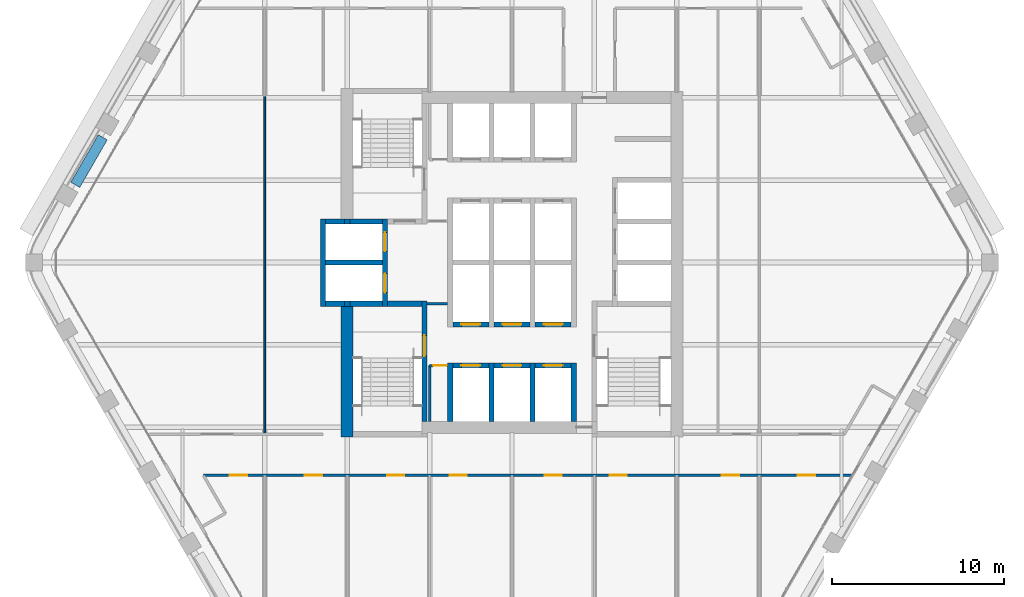
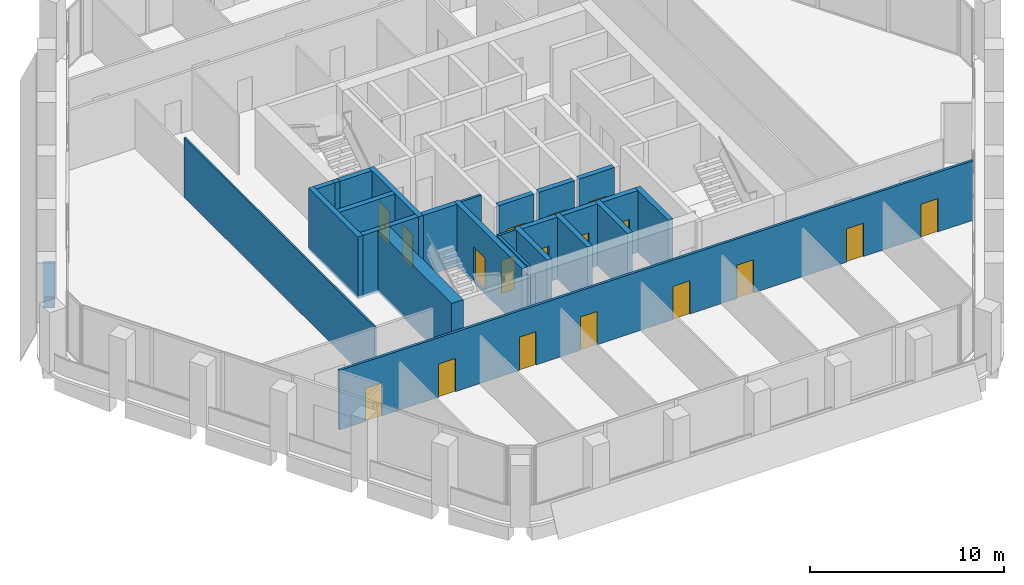
# One storey, part 9 of 15: 28 walls, 18 doors, 18 openings.
"""IFC4 building model written with IfcOpenShell, lengths in metres."""

from ifc_helpers import new_model, si_unit, direction, frame, frame_2d, origin, place, context, subcontext, project, spatial, rectangle, extrude, material, layer, layer_set, type_object, element, fill, save


model = new_model("IFC4")

# Units and contexts
model_context = context("Model", 3, precision=1e-05, world=origin(), true_north=direction((0.0, 1.0)))
body_context = subcontext(model_context, "Body", "Model", "MODEL_VIEW")
ifc_project = project(units=[si_unit("LENGTHUNIT", "METRE"), si_unit("AREAUNIT", "SQUARE_METRE"), si_unit("VOLUMEUNIT", "CUBIC_METRE"), si_unit("PLANEANGLEUNIT", "RADIAN"), si_unit("MASSUNIT", "GRAM", prefix="KILO")], contexts=[model_context])

# Site, building, storey
site_placement = place(None, origin())
site = spatial("IfcSite", under=ifc_project, at=site_placement, CompositionType="ELEMENT")
building_placement = place(site_placement, origin())
building = spatial("IfcBuilding", under=site, at=building_placement, Name="Kolab Exchange Tower", CompositionType="ELEMENT")
storey_placement = place(building_placement, frame((0.0, 0.0, 189.5)))
storey = spatial("IfcBuildingStorey", under=building, at=storey_placement, Name="L40", CompositionType="ELEMENT", Elevation=189.5)

# Wall
ifc_material_1 = material(Name="Concrete C60/75", Category="concrete")
ifc_layer_1 = layer(ifc_material_1, 0.699951171875)
ifc_layer_set_1 = layer_set([ifc_layer_1], Name="Concrete C60/75")
wall_type_1 = type_object("IfcWallType", Name="CORE WALL 700 C60/75", PredefinedType="SHEAR", material=ifc_layer_set_1)
wall_1_placement = place(storey_placement, frame((-9.60009765625, -10.14990234375, -0.14990234375), z_axis=(0.0, 0.0, 1.0), x_axis=(0.0, 1.0, 0.0)))
element("IfcWall", 1, at=wall_1_placement, inside=storey, type_object=wall_type_1, Name="wall/L40/core/034", PredefinedType="SHEAR", context=body_context, shape_type="SweptSolid", body=[
    extrude(rectangle(XDim=7.599853515625, YDim=0.699951171875, at=frame_2d((3.7998046875, 0.0))), origin(), (0.0, 0.0, 1.0), 3.89990234375),
])

# Wall, opening, door
ifc_material_2 = material(Name="Concrete C50/60", Category="concrete")
ifc_layer_2 = layer(ifc_material_2, 0.300048828125)
ifc_layer_set_2 = layer_set([ifc_layer_2], Name="Concrete C50/60")
wall_type_2 = type_object("IfcWallType", Name="LIFT SHAFT WALL 300 C50/60", PredefinedType="STANDARD", material=ifc_layer_set_2)
wall_2_placement = place(storey_placement, frame((-3.449951171875, -6.0, -0.14990234375), z_axis=(0.0, 0.0, 1.0), x_axis=(1.0, 0.0, 0.0)))
wall_2 = element("IfcWall", 2, at=wall_2_placement, inside=storey, type_object=wall_type_2, Name="wall/L40/core/003", PredefinedType="STANDARD", context=body_context, shape_type="SweptSolid", body=[
    extrude(rectangle(XDim=2.099853515625, YDim=0.300048828125, at=frame_2d((1.0498046875, 0.0))), origin(), (0.0, 0.0, 1.0), 3.89990234375),
])
opening_1_placement = place(wall_2_placement, frame((0.5, 0.0, 0.14990234375)))
opening_1 = element("IfcOpeningElement", 3, at=opening_1_placement, cuts=wall_2, Name="Opening LD1-110", PredefinedType="OPENING", context=body_context, shape_type="SweptSolid", body=[
    extrude(rectangle(XDim=1.10009765625, YDim=2.10009765625, at=frame_2d((0.550048828125, 1.050048828125))), frame((0.0, 0.16015625, 0.0), z_axis=(0.0, -1.0, 0.0), x_axis=(1.0, 0.0, 0.0)), (0.0, 0.0, 1.0), 0.320068359375),
])
ifc_material_3 = material(Name="Stainless steel 316", Category="steel")
door_type_1 = type_object("IfcDoorType", Name="LANDING DOOR 1100 PASSENGER", OperationType="DOUBLE_DOOR_SLIDING", PredefinedType="DOOR", material=ifc_material_3)
door_1_placement = place(opening_1_placement, origin())
door_1 = element("IfcDoor", 4, at=door_1_placement, inside=storey, type_object=door_type_1, Name="Landing door HR10", OperationType="DOUBLE_DOOR_SLIDING", OverallHeight=2.10009765625, OverallWidth=1.10009765625, PredefinedType="DOOR", context=body_context, shape_type="SweptSolid", body=[
    extrude(rectangle(XDim=1.10009765625, YDim=2.10009765625, at=frame_2d((0.550048828125, 1.050048828125))), frame((0.0, 0.02490234375, 0.0), z_axis=(0.0, -1.0, 0.0), x_axis=(1.0, 0.0, 0.0)), (0.0, 0.0, 1.0), 0.050048828125),
])
fill(opening_1, door_1)

wall_3_placement = place(storey_placement, frame((-1.050048828125, -6.0, -0.14990234375), z_axis=(0.0, 0.0, 1.0), x_axis=(1.0, 0.0, 0.0)))
wall_3 = element("IfcWall", 5, at=wall_3_placement, inside=storey, type_object=wall_type_2, Name="wall/L40/core/004", PredefinedType="STANDARD", context=body_context, shape_type="SweptSolid", body=[
    extrude(rectangle(XDim=2.10009765625, YDim=0.300048828125, at=frame_2d((1.050048828125, 0.0))), origin(), (0.0, 0.0, 1.0), 3.89990234375),
])
opening_2_placement = place(wall_3_placement, frame((0.5, 0.0, 0.14990234375)))
opening_2 = element("IfcOpeningElement", 6, at=opening_2_placement, cuts=wall_3, Name="Opening LD1-111", PredefinedType="OPENING", context=body_context, shape_type="SweptSolid", body=[
    extrude(rectangle(XDim=1.10009765625, YDim=2.10009765625, at=frame_2d((0.550048828125, 1.050048828125))), frame((0.0, 0.16015625, 0.0), z_axis=(0.0, -1.0, 0.0), x_axis=(1.0, 0.0, 0.0)), (0.0, 0.0, 1.0), 0.320068359375),
])
door_2_placement = place(opening_2_placement, origin())
door_2 = element("IfcDoor", 7, at=door_2_placement, inside=storey, type_object=door_type_1, Name="Landing door HR11", OperationType="DOUBLE_DOOR_SLIDING", OverallHeight=2.10009765625, OverallWidth=1.10009765625, PredefinedType="DOOR", context=body_context, shape_type="SweptSolid", body=[
    extrude(rectangle(XDim=1.10009765625, YDim=2.10009765625, at=frame_2d((0.550048828125, 1.050048828125))), frame((0.0, 0.02490234375, 0.0), z_axis=(0.0, -1.0, 0.0), x_axis=(1.0, 0.0, 0.0)), (0.0, 0.0, 1.0), 0.050048828125),
])
fill(opening_2, door_2)

wall_4_placement = place(storey_placement, frame((1.35009765625, -6.0, -0.14990234375), z_axis=(0.0, 0.0, 1.0), x_axis=(1.0, 0.0, 0.0)))
wall_4 = element("IfcWall", 8, at=wall_4_placement, inside=storey, type_object=wall_type_2, Name="wall/L40/core/005", PredefinedType="STANDARD", context=body_context, shape_type="SweptSolid", body=[
    extrude(rectangle(XDim=2.099853515625, YDim=0.300048828125, at=frame_2d((1.0498046875, 0.0))), origin(), (0.0, 0.0, 1.0), 3.89990234375),
])
opening_3_placement = place(wall_4_placement, frame((0.5, 0.0, 0.14990234375)))
opening_3 = element("IfcOpeningElement", 9, at=opening_3_placement, cuts=wall_4, Name="Opening LD1-112", PredefinedType="OPENING", context=body_context, shape_type="SweptSolid", body=[
    extrude(rectangle(XDim=1.10009765625, YDim=2.10009765625, at=frame_2d((0.550048828125, 1.050048828125))), frame((0.0, 0.16015625, 0.0), z_axis=(0.0, -1.0, 0.0), x_axis=(1.0, 0.0, 0.0)), (0.0, 0.0, 1.0), 0.320068359375),
])
door_3_placement = place(opening_3_placement, origin())
door_3 = element("IfcDoor", 10, at=door_3_placement, inside=storey, type_object=door_type_1, Name="Landing door HR12", OperationType="DOUBLE_DOOR_SLIDING", OverallHeight=2.10009765625, OverallWidth=1.10009765625, PredefinedType="DOOR", context=body_context, shape_type="SweptSolid", body=[
    extrude(rectangle(XDim=1.10009765625, YDim=2.10009765625, at=frame_2d((0.550048828125, 1.050048828125))), frame((0.0, 0.02490234375, 0.0), z_axis=(0.0, -1.0, 0.0), x_axis=(1.0, 0.0, 0.0)), (0.0, 0.0, 1.0), 0.050048828125),
])
fill(opening_3, door_3)

wall_5_placement = place(storey_placement, frame((-3.449951171875, -3.60009765625, -0.14990234375), z_axis=(0.0, 0.0, 1.0), x_axis=(1.0, 0.0, 0.0)))
wall_5 = element("IfcWall", 11, at=wall_5_placement, inside=storey, type_object=wall_type_2, Name="wall/L40/core/006", PredefinedType="STANDARD", context=body_context, shape_type="SweptSolid", body=[
    extrude(rectangle(XDim=2.099853515625, YDim=0.300048828125, at=frame_2d((1.0498046875, 0.0))), origin(), (0.0, 0.0, 1.0), 3.89990234375),
])
opening_4_placement = place(wall_5_placement, frame((0.5, 0.0, 0.14990234375)))
opening_4 = element("IfcOpeningElement", 12, at=opening_4_placement, cuts=wall_5, Name="Opening LD1-118", PredefinedType="OPENING", context=body_context, shape_type="SweptSolid", body=[
    extrude(rectangle(XDim=1.10009765625, YDim=2.10009765625, at=frame_2d((0.550048828125, 1.050048828125))), frame((0.0, 0.16015625, 0.0), z_axis=(0.0, -1.0, 0.0), x_axis=(1.0, 0.0, 0.0)), (0.0, 0.0, 1.0), 0.320068359375),
])
door_4_placement = place(opening_4_placement, origin())
door_4 = element("IfcDoor", 13, at=door_4_placement, inside=storey, type_object=door_type_1, Name="Landing door HR7", OperationType="DOUBLE_DOOR_SLIDING", OverallHeight=2.10009765625, OverallWidth=1.10009765625, PredefinedType="DOOR", context=body_context, shape_type="SweptSolid", body=[
    extrude(rectangle(XDim=1.10009765625, YDim=2.10009765625, at=frame_2d((0.550048828125, 1.050048828125))), frame((0.0, 0.02490234375, 0.0), z_axis=(0.0, -1.0, 0.0), x_axis=(1.0, 0.0, 0.0)), (0.0, 0.0, 1.0), 0.050048828125),
])
fill(opening_4, door_4)

wall_6_placement = place(storey_placement, frame((-1.050048828125, -3.60009765625, -0.14990234375), z_axis=(0.0, 0.0, 1.0), x_axis=(1.0, 0.0, 0.0)))
wall_6 = element("IfcWall", 14, at=wall_6_placement, inside=storey, type_object=wall_type_2, Name="wall/L40/core/007", PredefinedType="STANDARD", context=body_context, shape_type="SweptSolid", body=[
    extrude(rectangle(XDim=2.10009765625, YDim=0.300048828125, at=frame_2d((1.050048828125, 0.0))), origin(), (0.0, 0.0, 1.0), 3.89990234375),
])
opening_5_placement = place(wall_6_placement, frame((0.5, 0.0, 0.14990234375)))
opening_5 = element("IfcOpeningElement", 15, at=opening_5_placement, cuts=wall_6, Name="Opening LD1-119", PredefinedType="OPENING", context=body_context, shape_type="SweptSolid", body=[
    extrude(rectangle(XDim=1.10009765625, YDim=2.10009765625, at=frame_2d((0.550048828125, 1.050048828125))), frame((0.0, 0.16015625, 0.0), z_axis=(0.0, -1.0, 0.0), x_axis=(1.0, 0.0, 0.0)), (0.0, 0.0, 1.0), 0.320068359375),
])
door_5_placement = place(opening_5_placement, origin())
door_5 = element("IfcDoor", 16, at=door_5_placement, inside=storey, type_object=door_type_1, Name="Landing door HR8", OperationType="DOUBLE_DOOR_SLIDING", OverallHeight=2.10009765625, OverallWidth=1.10009765625, PredefinedType="DOOR", context=body_context, shape_type="SweptSolid", body=[
    extrude(rectangle(XDim=1.10009765625, YDim=2.10009765625, at=frame_2d((0.550048828125, 1.050048828125))), frame((0.0, 0.02490234375, 0.0), z_axis=(0.0, -1.0, 0.0), x_axis=(1.0, 0.0, 0.0)), (0.0, 0.0, 1.0), 0.050048828125),
])
fill(opening_5, door_5)

wall_7_placement = place(storey_placement, frame((1.35009765625, -3.60009765625, -0.14990234375), z_axis=(0.0, 0.0, 1.0), x_axis=(1.0, 0.0, 0.0)))
wall_7 = element("IfcWall", 17, at=wall_7_placement, inside=storey, type_object=wall_type_2, Name="wall/L40/core/008", PredefinedType="STANDARD", context=body_context, shape_type="SweptSolid", body=[
    extrude(rectangle(XDim=2.099853515625, YDim=0.300048828125, at=frame_2d((1.0498046875, 0.0))), origin(), (0.0, 0.0, 1.0), 3.89990234375),
])
opening_6_placement = place(wall_7_placement, frame((0.5, 0.0, 0.14990234375)))
opening_6 = element("IfcOpeningElement", 18, at=opening_6_placement, cuts=wall_7, Name="Opening LD1-120", PredefinedType="OPENING", context=body_context, shape_type="SweptSolid", body=[
    extrude(rectangle(XDim=1.10009765625, YDim=2.10009765625, at=frame_2d((0.550048828125, 1.050048828125))), frame((0.0, 0.16015625, 0.0), z_axis=(0.0, -1.0, 0.0), x_axis=(1.0, 0.0, 0.0)), (0.0, 0.0, 1.0), 0.320068359375),
])
door_6_placement = place(opening_6_placement, origin())
door_6 = element("IfcDoor", 19, at=door_6_placement, inside=storey, type_object=door_type_1, Name="Landing door HR9", OperationType="DOUBLE_DOOR_SLIDING", OverallHeight=2.10009765625, OverallWidth=1.10009765625, PredefinedType="DOOR", context=body_context, shape_type="SweptSolid", body=[
    extrude(rectangle(XDim=1.10009765625, YDim=2.10009765625, at=frame_2d((0.550048828125, 1.050048828125))), frame((0.0, 0.02490234375, 0.0), z_axis=(0.0, -1.0, 0.0), x_axis=(1.0, 0.0, 0.0)), (0.0, 0.0, 1.0), 0.050048828125),
])
fill(opening_6, door_6)

# Walls
wall_8_placement = place(storey_placement, frame((-10.85009765625, -2.39990234375, -0.14990234375), z_axis=(0.0, 0.0, 1.0), x_axis=(1.0, 0.0, 0.0)))
element("IfcWall", 20, at=wall_8_placement, inside=storey, type_object=wall_type_2, Name="wall/L40/core/009", PredefinedType="STANDARD", context=body_context, shape_type="SweptSolid", body=[
    extrude(rectangle(XDim=1.10009765625, YDim=0.300048828125, at=frame_2d((0.550048828125, 0.0))), origin(), (0.0, 0.0, 1.0), 3.89990234375),
])
wall_9_placement = place(storey_placement, frame((-10.85009765625, 0.0, -0.14990234375), z_axis=(0.0, 0.0, 1.0), x_axis=(1.0, 0.0, 0.0)))
element("IfcWall", 21, at=wall_9_placement, inside=storey, type_object=wall_type_2, Name="wall/L40/core/014", PredefinedType="STANDARD", context=body_context, shape_type="SweptSolid", body=[
    extrude(rectangle(XDim=3.300048828125, YDim=0.300048828125, at=frame_2d((1.64990234375, 0.0))), origin(), (0.0, 0.0, 1.0), 3.89990234375),
])
wall_10_placement = place(storey_placement, frame((-10.85009765625, 2.39990234375, -0.14990234375), z_axis=(0.0, 0.0, 1.0), x_axis=(1.0, 0.0, 0.0)))
element("IfcWall", 22, at=wall_10_placement, inside=storey, type_object=wall_type_2, Name="wall/L40/core/019", PredefinedType="STANDARD", context=body_context, shape_type="SweptSolid", body=[
    extrude(rectangle(XDim=1.10009765625, YDim=0.300048828125, at=frame_2d((0.550048828125, 0.0))), origin(), (0.0, 0.0, 1.0), 3.89990234375),
])
wall_11_placement = place(storey_placement, frame((-11.0, -2.550048828125, -0.14990234375), z_axis=(0.0, 0.0, 1.0), x_axis=(0.0, 1.0, 0.0)))
element("IfcWall", 23, at=wall_11_placement, inside=storey, type_object=wall_type_2, Name="wall/L40/core/033", PredefinedType="STANDARD", context=body_context, shape_type="SweptSolid", body=[
    extrude(rectangle(XDim=5.10009765625, YDim=0.300048828125, at=frame_2d((2.550048828125, 0.0))), origin(), (0.0, 0.0, 1.0), 3.89990234375),
])

# Wall, openings, doors
wall_12_placement = place(storey_placement, frame((-7.39990234375, -2.550048828125, -0.14990234375), z_axis=(0.0, 0.0, 1.0), x_axis=(0.0, 1.0, 0.0)))
wall_12 = element("IfcWall", 24, at=wall_12_placement, inside=storey, type_object=wall_type_2, Name="wall/L40/core/038", PredefinedType="STANDARD", context=body_context, shape_type="SweptSolid", body=[
    extrude(rectangle(XDim=5.10009765625, YDim=0.300048828125, at=frame_2d((2.550048828125, 0.0))), origin(), (0.0, 0.0, 1.0), 3.89990234375),
])
opening_7_placement = place(wall_12_placement, frame((0.800048828125, 0.0, 0.14990234375)))
opening_7 = element("IfcOpeningElement", 25, at=opening_7_placement, cuts=wall_12, Name="Opening LD2-025", PredefinedType="OPENING", context=body_context, shape_type="SweptSolid", body=[
    extrude(rectangle(XDim=1.10009765625, YDim=2.10009765625, at=frame_2d((0.550048828125, 1.050048828125))), frame((0.0, 0.16015625, 0.0), z_axis=(0.0, -1.0, 0.0), x_axis=(1.0, 0.0, 0.0)), (0.0, 0.0, 1.0), 0.320068359375),
])
opening_8_placement = place(wall_12_placement, frame((3.199951171875, 0.0, 0.14990234375)))
opening_8 = element("IfcOpeningElement", 26, at=opening_8_placement, cuts=wall_12, Name="Opening LD2-026", PredefinedType="OPENING", context=body_context, shape_type="SweptSolid", body=[
    extrude(rectangle(XDim=1.10009765625, YDim=2.10009765625, at=frame_2d((0.550048828125, 1.050048828125))), frame((0.0, 0.16015625, 0.0), z_axis=(0.0, -1.0, 0.0), x_axis=(1.0, 0.0, 0.0)), (0.0, 0.0, 1.0), 0.320068359375),
])
door_type_2 = type_object("IfcDoorType", Name="LANDING DOOR 1100 FIREFIGHTING", OperationType="DOUBLE_DOOR_SLIDING", PredefinedType="DOOR", material=ifc_material_3)
door_7_placement = place(opening_7_placement, origin())
door_7 = element("IfcDoor", 27, at=door_7_placement, inside=storey, type_object=door_type_2, Name="Landing door FF1", OperationType="DOUBLE_DOOR_SLIDING", OverallHeight=2.10009765625, OverallWidth=1.10009765625, PredefinedType="DOOR", context=body_context, shape_type="SweptSolid", body=[
    extrude(rectangle(XDim=1.10009765625, YDim=2.10009765625, at=frame_2d((0.550048828125, 1.050048828125))), frame((0.0, 0.02490234375, 0.0), z_axis=(0.0, -1.0, 0.0), x_axis=(1.0, 0.0, 0.0)), (0.0, 0.0, 1.0), 0.050048828125),
])
fill(opening_7, door_7)
door_8_placement = place(opening_8_placement, origin())
door_8 = element("IfcDoor", 28, at=door_8_placement, inside=storey, type_object=door_type_2, Name="Landing door FF2", OperationType="DOUBLE_DOOR_SLIDING", OverallHeight=2.10009765625, OverallWidth=1.10009765625, PredefinedType="DOOR", context=body_context, shape_type="SweptSolid", body=[
    extrude(rectangle(XDim=1.10009765625, YDim=2.10009765625, at=frame_2d((0.550048828125, 1.050048828125))), frame((0.0, 0.02490234375, 0.0), z_axis=(0.0, -1.0, 0.0), x_axis=(1.0, 0.0, 0.0)), (0.0, 0.0, 1.0), 0.050048828125),
])
fill(opening_8, door_8)

# Walls
for number, where, z_axis, x_axis, name in (
    (29, (-3.60009765625, -9.25, -0.14990234375), (0.0, 0.0, 1.0), (0.0, 1.0, 0.0), "wall/L40/core/043"),
    (30, (-1.199951171875, -9.25, -0.14990234375), (0.0, 0.0, 1.0), (0.0, 1.0, 0.0), "wall/L40/core/046"),
    (31, (1.199951171875, -9.25, -0.14990234375), (0.0, 0.0, 1.0), (0.0, 1.0, 0.0), "wall/L40/core/049"),
    (32, (3.60009765625, -9.25, -0.14990234375), (0.0, 0.0, 1.0), (0.0, 1.0, 0.0), "wall/L40/core/052"),
):
    element("IfcWall", number, at=place(storey_placement, frame(where, z_axis=z_axis, x_axis=x_axis)), inside=storey, type_object=wall_type_2, Name=name, PredefinedType="STANDARD", context=body_context, shape_type="SweptSolid", body=[
        extrude(rectangle(XDim=3.39990234375, YDim=0.300048828125, at=frame_2d((1.699951171875, 0.0))), origin(), (0.0, 0.0, 1.0), 3.89990234375),
    ])
ifc_material_4 = material(Name="Gypsum board", Category="gypsum")
ifc_layer_3 = layer(ifc_material_4, 0.10009765625)
ifc_layer_set_3 = layer_set([ifc_layer_3], Name="Gypsum board")
wall_type_3 = type_object("IfcWallType", Name="PARTITION 100", PredefinedType="PARTITIONING", material=ifc_layer_set_3)
wall_13_placement = place(storey_placement, frame((-14.39990234375, -10.0, 0.0), z_axis=(0.0, 0.0, 1.0), x_axis=(0.0, 1.0, 0.0)))
element("IfcWall", 33, at=wall_13_placement, inside=storey, type_object=wall_type_3, Name="Partition 022", PredefinedType="PARTITIONING", context=body_context, shape_type="SweptSolid", body=[
    extrude(rectangle(XDim=19.693603515625, YDim=0.10009765625, at=frame_2d((9.8466796875, 0.0))), origin(), (0.0, 0.0, 1.0), 3.75),
])
ifc_layer_4 = layer(ifc_material_4, 0.14990234375)
ifc_layer_set_4 = layer_set([ifc_layer_4], Name="Gypsum board")
wall_type_4 = type_object("IfcWallType", Name="PARTITION 150 FIRE-RATED", PredefinedType="PARTITIONING", material=ifc_layer_set_4)
wall_14_placement = place(storey_placement, frame((-4.800048828125, -9.25, 0.0), z_axis=(0.0, 0.0, 1.0), x_axis=(0.0, 1.0, 0.0)))
element("IfcWall", 34, at=wall_14_placement, inside=storey, type_object=wall_type_4, Name="Partition 015", PredefinedType="PARTITIONING", context=body_context, shape_type="SweptSolid", body=[
    extrude(rectangle(XDim=3.25, YDim=0.14990234375, at=frame_2d((1.625, 0.0))), origin(), (0.0, 0.0, 1.0), 3.75),
])

# Wall, openings, doors
wall_15_placement = place(storey_placement, frame((-17.968994140625, -12.39990234375, 0.0), z_axis=(0.0, 0.0, 1.0), x_axis=(1.0, 0.0, 0.0)))
wall_15 = element("IfcWall", 35, at=wall_15_placement, inside=storey, type_object=wall_type_4, Name="Partition 029", PredefinedType="PARTITIONING", context=body_context, shape_type="SweptSolid", body=[
    extrude(rectangle(XDim=37.7392578125, YDim=0.14990234375, at=frame_2d((18.86962890625, 0.0))), origin(), (0.0, 0.0, 1.0), 3.75),
])
opening_9_placement = place(wall_15_placement, frame((1.534912109375, 0.0, 0.0)))
opening_9 = element("IfcOpeningElement", 36, at=opening_9_placement, cuts=wall_15, Name="Opening D1-526", PredefinedType="OPENING", context=body_context, shape_type="SweptSolid", body=[
    extrude(rectangle(XDim=1.0, YDim=2.10009765625, at=frame_2d((0.5, 1.050048828125))), frame((0.0, 0.0849609375, 0.0), z_axis=(0.0, -1.0, 0.0), x_axis=(1.0, 0.0, 0.0)), (0.0, 0.0, 1.0), 0.169921875),
])
opening_10_placement = place(wall_15_placement, frame((5.90380859375, 0.0, 0.0)))
opening_10 = element("IfcOpeningElement", 37, at=opening_10_placement, cuts=wall_15, Name="Opening D1-527", PredefinedType="OPENING", context=body_context, shape_type="SweptSolid", body=[
    extrude(rectangle(XDim=1.0, YDim=2.10009765625, at=frame_2d((0.5, 1.050048828125))), frame((0.0, 0.0849609375, 0.0), z_axis=(0.0, -1.0, 0.0), x_axis=(1.0, 0.0, 0.0)), (0.0, 0.0, 1.0), 0.169921875),
])
opening_11_placement = place(wall_15_placement, frame((10.703857421875, 0.0, 0.0)))
opening_11 = element("IfcOpeningElement", 38, at=opening_11_placement, cuts=wall_15, Name="Opening D1-528", PredefinedType="OPENING", context=body_context, shape_type="SweptSolid", body=[
    extrude(rectangle(XDim=1.0, YDim=2.10009765625, at=frame_2d((0.5, 1.050048828125))), frame((0.0, 0.0849609375, 0.0), z_axis=(0.0, -1.0, 0.0), x_axis=(1.0, 0.0, 0.0)), (0.0, 0.0, 1.0), 0.169921875),
])
opening_12_placement = place(wall_15_placement, frame((14.343994140625, 0.0, 0.0)))
opening_12 = element("IfcOpeningElement", 39, at=opening_12_placement, cuts=wall_15, Name="Opening D1-529", PredefinedType="OPENING", context=body_context, shape_type="SweptSolid", body=[
    extrude(rectangle(XDim=1.0, YDim=2.10009765625, at=frame_2d((0.5, 1.050048828125))), frame((0.0, 0.0849609375, 0.0), z_axis=(0.0, -1.0, 0.0), x_axis=(1.0, 0.0, 0.0)), (0.0, 0.0, 1.0), 0.169921875),
])
opening_13_placement = place(wall_15_placement, frame((19.868896484375, 0.0, 0.0)))
opening_13 = element("IfcOpeningElement", 40, at=opening_13_placement, cuts=wall_15, Name="Opening D1-530", PredefinedType="OPENING", context=body_context, shape_type="SweptSolid", body=[
    extrude(rectangle(XDim=1.0, YDim=2.10009765625, at=frame_2d((0.5, 1.050048828125))), frame((0.0, 0.0849609375, 0.0), z_axis=(0.0, -1.0, 0.0), x_axis=(1.0, 0.0, 0.0)), (0.0, 0.0, 1.0), 0.169921875),
])
opening_14_placement = place(wall_15_placement, frame((23.65380859375, 0.0, 0.0)))
opening_14 = element("IfcOpeningElement", 41, at=opening_14_placement, cuts=wall_15, Name="Opening D1-531", PredefinedType="OPENING", context=body_context, shape_type="SweptSolid", body=[
    extrude(rectangle(XDim=1.0, YDim=2.10009765625, at=frame_2d((0.5, 1.050048828125))), frame((0.0, 0.0849609375, 0.0), z_axis=(0.0, -1.0, 0.0), x_axis=(1.0, 0.0, 0.0)), (0.0, 0.0, 1.0), 0.169921875),
])
opening_15_placement = place(wall_15_placement, frame((30.19384765625, 0.0, 0.0)))
opening_15 = element("IfcOpeningElement", 42, at=opening_15_placement, cuts=wall_15, Name="Opening D1-532", PredefinedType="OPENING", context=body_context, shape_type="SweptSolid", body=[
    extrude(rectangle(XDim=1.0, YDim=2.10009765625, at=frame_2d((0.5, 1.050048828125))), frame((0.0, 0.0849609375, 0.0), z_axis=(0.0, -1.0, 0.0), x_axis=(1.0, 0.0, 0.0)), (0.0, 0.0, 1.0), 0.169921875),
])
opening_16_placement = place(wall_15_placement, frame((34.623291015625, 0.0, 0.0)))
opening_16 = element("IfcOpeningElement", 43, at=opening_16_placement, cuts=wall_15, Name="Opening D1-533", PredefinedType="OPENING", context=body_context, shape_type="SweptSolid", body=[
    extrude(rectangle(XDim=1.0, YDim=2.10009765625, at=frame_2d((0.5, 1.050048828125))), frame((0.0, 0.0849609375, 0.0), z_axis=(0.0, -1.0, 0.0), x_axis=(1.0, 0.0, 0.0)), (0.0, 0.0, 1.0), 0.169921875),
])
ifc_material_5 = material(Name="Steel S235", Category="steel")
door_type_3 = type_object("IfcDoorType", Name="FLUSH DOOR 1000 FD60", OperationType="SINGLE_SWING_LEFT", PredefinedType="DOOR", material=ifc_material_5)
door_9_placement = place(opening_9_placement, frame((1.0, 0.0, 0.0), z_axis=(0.0, 0.0, 1.0), x_axis=(-1.0, 0.0, 0.0)))
door_9 = element("IfcDoor", 44, at=door_9_placement, inside=storey, type_object=door_type_3, Name="Door L40-040", OperationType="SINGLE_SWING_RIGHT", OverallHeight=2.10009765625, OverallWidth=1.0, PredefinedType="DOOR", context=body_context, shape_type="SweptSolid", body=[
    extrude(rectangle(XDim=1.0, YDim=2.10009765625, at=frame_2d((0.5, 1.050048828125))), frame((0.0, 0.02490234375, 0.0), z_axis=(0.0, -1.0, 0.0), x_axis=(1.0, 0.0, 0.0)), (0.0, 0.0, 1.0), 0.050048828125),
])
fill(opening_9, door_9)
door_10_placement = place(opening_10_placement, frame((1.0, 0.0, 0.0), z_axis=(0.0, 0.0, 1.0), x_axis=(-1.0, 0.0, 0.0)))
door_10 = element("IfcDoor", 45, at=door_10_placement, inside=storey, type_object=door_type_3, Name="Door L40-041", OperationType="SINGLE_SWING_RIGHT", OverallHeight=2.10009765625, OverallWidth=1.0, PredefinedType="DOOR", context=body_context, shape_type="SweptSolid", body=[
    extrude(rectangle(XDim=1.0, YDim=2.10009765625, at=frame_2d((0.5, 1.050048828125))), frame((0.0, 0.02490234375, 0.0), z_axis=(0.0, -1.0, 0.0), x_axis=(1.0, 0.0, 0.0)), (0.0, 0.0, 1.0), 0.050048828125),
])
fill(opening_10, door_10)
door_11_placement = place(opening_11_placement, frame((1.0, 0.0, 0.0), z_axis=(0.0, 0.0, 1.0), x_axis=(-1.0, 0.0, 0.0)))
door_11 = element("IfcDoor", 46, at=door_11_placement, inside=storey, type_object=door_type_3, Name="Door L40-042", OperationType="SINGLE_SWING_RIGHT", OverallHeight=2.10009765625, OverallWidth=1.0, PredefinedType="DOOR", context=body_context, shape_type="SweptSolid", body=[
    extrude(rectangle(XDim=1.0, YDim=2.10009765625, at=frame_2d((0.5, 1.050048828125))), frame((0.0, 0.02490234375, 0.0), z_axis=(0.0, -1.0, 0.0), x_axis=(1.0, 0.0, 0.0)), (0.0, 0.0, 1.0), 0.050048828125),
])
fill(opening_11, door_11)
door_12_placement = place(opening_12_placement, frame((1.0, 0.0, 0.0), z_axis=(0.0, 0.0, 1.0), x_axis=(-1.0, 0.0, 0.0)))
door_12 = element("IfcDoor", 47, at=door_12_placement, inside=storey, type_object=door_type_3, Name="Door L40-043", OperationType="SINGLE_SWING_LEFT", OverallHeight=2.10009765625, OverallWidth=1.0, PredefinedType="DOOR", context=body_context, shape_type="SweptSolid", body=[
    extrude(rectangle(XDim=1.0, YDim=2.10009765625, at=frame_2d((0.5, 1.050048828125))), frame((0.0, 0.02490234375, 0.0), z_axis=(0.0, -1.0, 0.0), x_axis=(1.0, 0.0, 0.0)), (0.0, 0.0, 1.0), 0.050048828125),
])
fill(opening_12, door_12)
door_13_placement = place(opening_13_placement, frame((1.0, 0.0, 0.0), z_axis=(0.0, 0.0, 1.0), x_axis=(-1.0, 0.0, 0.0)))
door_13 = element("IfcDoor", 48, at=door_13_placement, inside=storey, type_object=door_type_3, Name="Door L40-044", OperationType="SINGLE_SWING_LEFT", OverallHeight=2.10009765625, OverallWidth=1.0, PredefinedType="DOOR", context=body_context, shape_type="SweptSolid", body=[
    extrude(rectangle(XDim=1.0, YDim=2.10009765625, at=frame_2d((0.5, 1.050048828125))), frame((0.0, 0.02490234375, 0.0), z_axis=(0.0, -1.0, 0.0), x_axis=(1.0, 0.0, 0.0)), (0.0, 0.0, 1.0), 0.050048828125),
])
fill(opening_13, door_13)
door_14_placement = place(opening_14_placement, frame((1.0, 0.0, 0.0), z_axis=(0.0, 0.0, 1.0), x_axis=(-1.0, 0.0, 0.0)))
door_14 = element("IfcDoor", 49, at=door_14_placement, inside=storey, type_object=door_type_3, Name="Door L40-045", OperationType="SINGLE_SWING_LEFT", OverallHeight=2.10009765625, OverallWidth=1.0, PredefinedType="DOOR", context=body_context, shape_type="SweptSolid", body=[
    extrude(rectangle(XDim=1.0, YDim=2.10009765625, at=frame_2d((0.5, 1.050048828125))), frame((0.0, 0.02490234375, 0.0), z_axis=(0.0, -1.0, 0.0), x_axis=(1.0, 0.0, 0.0)), (0.0, 0.0, 1.0), 0.050048828125),
])
fill(opening_14, door_14)
door_15_placement = place(opening_15_placement, frame((1.0, 0.0, 0.0), z_axis=(0.0, 0.0, 1.0), x_axis=(-1.0, 0.0, 0.0)))
door_15 = element("IfcDoor", 50, at=door_15_placement, inside=storey, type_object=door_type_3, Name="Door L40-046", OperationType="SINGLE_SWING_RIGHT", OverallHeight=2.10009765625, OverallWidth=1.0, PredefinedType="DOOR", context=body_context, shape_type="SweptSolid", body=[
    extrude(rectangle(XDim=1.0, YDim=2.10009765625, at=frame_2d((0.5, 1.050048828125))), frame((0.0, 0.02490234375, 0.0), z_axis=(0.0, -1.0, 0.0), x_axis=(1.0, 0.0, 0.0)), (0.0, 0.0, 1.0), 0.050048828125),
])
fill(opening_15, door_15)
door_16_placement = place(opening_16_placement, frame((1.0, 0.0, 0.0), z_axis=(0.0, 0.0, 1.0), x_axis=(-1.0, 0.0, 0.0)))
door_16 = element("IfcDoor", 51, at=door_16_placement, inside=storey, type_object=door_type_3, Name="Door L40-047", OperationType="SINGLE_SWING_RIGHT", OverallHeight=2.10009765625, OverallWidth=1.0, PredefinedType="DOOR", context=body_context, shape_type="SweptSolid", body=[
    extrude(rectangle(XDim=1.0, YDim=2.10009765625, at=frame_2d((0.5, 1.050048828125))), frame((0.0, 0.02490234375, 0.0), z_axis=(0.0, -1.0, 0.0), x_axis=(1.0, 0.0, 0.0)), (0.0, 0.0, 1.0), 0.050048828125),
])
fill(opening_16, door_16)

# Wall, opening, door
wall_16_placement = place(storey_placement, frame((-4.800048828125, -6.0, 0.0), z_axis=(0.0, 0.0, 1.0), x_axis=(1.0, 0.0, 0.0)))
wall_16 = element("IfcWall", 52, at=wall_16_placement, inside=storey, type_object=wall_type_4, Name="Partition 032", PredefinedType="PARTITIONING", context=body_context, shape_type="SweptSolid", body=[
    extrude(rectangle(XDim=1.050048828125, YDim=0.14990234375, at=frame_2d((0.52490234375, 0.0))), origin(), (0.0, 0.0, 1.0), 3.75),
])
opening_17_placement = place(wall_16_placement, frame((0.199951171875, 0.0, 0.0)))
opening_17 = element("IfcOpeningElement", 53, at=opening_17_placement, cuts=wall_16, Name="Opening D7-034", PredefinedType="OPENING", context=body_context, shape_type="SweptSolid", body=[
    extrude(rectangle(XDim=0.800048828125, YDim=2.10009765625, at=frame_2d((0.39990234375, 1.050048828125))), frame((0.0, 0.0849609375, 0.0), z_axis=(0.0, -1.0, 0.0), x_axis=(1.0, 0.0, 0.0)), (0.0, 0.0, 1.0), 0.169921875),
])
door_type_4 = type_object("IfcDoorType", Name="FLUSH DOOR 800 FD60", OperationType="SINGLE_SWING_LEFT", PredefinedType="DOOR", material=ifc_material_5)
door_17_placement = place(opening_17_placement, frame((0.800048828125, 0.0, 0.0), z_axis=(0.0, 0.0, 1.0), x_axis=(-1.0, 0.0, 0.0)))
door_17 = element("IfcDoor", 54, at=door_17_placement, inside=storey, type_object=door_type_4, Name="Door L40-024", OperationType="SINGLE_SWING_RIGHT", OverallHeight=2.10009765625, OverallWidth=0.800048828125, PredefinedType="DOOR", context=body_context, shape_type="SweptSolid", body=[
    extrude(rectangle(XDim=0.800048828125, YDim=2.10009765625, at=frame_2d((0.39990234375, 1.050048828125))), frame((0.0, 0.02490234375, 0.0), z_axis=(0.0, -1.0, 0.0), x_axis=(1.0, 0.0, 0.0)), (0.0, 0.0, 1.0), 0.050048828125),
])
fill(opening_17, door_17)

# Walls
wall_17_placement = place(storey_placement, frame((-4.949951171875, -2.39990234375, 0.0), z_axis=(0.0, 0.0, 1.0), x_axis=(1.0, 0.0, 0.0)))
element("IfcWall", 55, at=wall_17_placement, inside=storey, type_object=wall_type_4, Name="Fire partition", PredefinedType="PARTITIONING", context=body_context, shape_type="SweptSolid", body=[
    extrude(rectangle(XDim=1.199951171875, YDim=0.14990234375, at=frame_2d((0.60009765625, 0.0))), origin(), (0.0, 0.0, 1.0), 3.75),
])
ifc_material_6 = material(Name="Granite facing", Category="masonry")
ifc_layer_5 = layer(ifc_material_6, 0.0400390625)
ifc_material_7 = material(Name="Concrete C40/50 precast", Category="concrete")
ifc_layer_6 = layer(ifc_material_7, 0.56005859375)
ifc_layer_set_5 = layer_set([ifc_layer_5, ifc_layer_6], Name="Concrete C40/50 precast")
wall_type_5 = type_object("IfcWallType", Name="PLANTER BOX 600 X 700 SOIL DEPTH 550", PredefinedType="USERDEFINED", material=ifc_layer_set_5)
wall_18_placement = place(storey_placement, frame((-25.43701171875, 4.524658203125, 0.0), z_axis=(0.0, 0.0, 1.0), x_axis=(0.499938187974, 0.866061088033, 0.0)))
element("IfcWall", 56, at=wall_18_placement, inside=storey, type_object=wall_type_5, Name="Planter", ObjectType="PLANTER", PredefinedType="USERDEFINED", context=body_context, shape_type="SweptSolid", body=[
    extrude(rectangle(XDim=3.2001953125, YDim=0.60009765625, at=frame_2d((1.60009765625, 0.0))), origin(), (0.0, 0.0, 1.0), 0.699951171875),
])
ifc_layer_7 = layer(ifc_material_2, 0.300048828125)
ifc_layer_set_6 = layer_set([ifc_layer_7], Name="Concrete C50/60")
wall_type_6 = type_object("IfcWallType", Name="STAIR ENCLOSURE WALL 300 C50/60", PredefinedType="STANDARD", material=ifc_layer_set_6)
wall_19_placement = place(storey_placement, frame((-9.449951171875, -2.39990234375, -0.14990234375), z_axis=(0.0, 0.0, 1.0), x_axis=(1.0, 0.0, 0.0)))
element("IfcWall", 57, at=wall_19_placement, inside=storey, type_object=wall_type_6, Name="wall/L40/core/010", PredefinedType="STANDARD", context=body_context, shape_type="SweptSolid", body=[
    extrude(rectangle(XDim=1.89990234375, YDim=0.300048828125, at=frame_2d((0.949951171875, 0.0))), origin(), (0.0, 0.0, 1.0), 3.89990234375),
])
wall_20_placement = place(storey_placement, frame((-7.25, -2.39990234375, -0.14990234375), z_axis=(0.0, 0.0, 1.0), x_axis=(1.0, 0.0, 0.0)))
element("IfcWall", 58, at=wall_20_placement, inside=storey, type_object=wall_type_6, Name="wall/L40/core/011", PredefinedType="STANDARD", context=body_context, shape_type="SweptSolid", body=[
    extrude(rectangle(XDim=2.0, YDim=0.300048828125, at=frame_2d((1.0, 0.0))), origin(), (0.0, 0.0, 1.0), 3.89990234375),
])
wall_21_placement = place(storey_placement, frame((-9.449951171875, 2.39990234375, -0.14990234375), z_axis=(0.0, 0.0, 1.0), x_axis=(1.0, 0.0, 0.0)))
element("IfcWall", 59, at=wall_21_placement, inside=storey, type_object=wall_type_6, Name="wall/L40/core/020", PredefinedType="STANDARD", context=body_context, shape_type="SweptSolid", body=[
    extrude(rectangle(XDim=1.89990234375, YDim=0.300048828125, at=frame_2d((0.949951171875, 0.0))), origin(), (0.0, 0.0, 1.0), 3.89990234375),
])
for number, where, z_axis, x_axis, name in (
    (60, (-9.60009765625, -2.550048828125, -0.14990234375), (0.0, 0.0, 1.0), (0.0, 1.0, 0.0), "wall/L40/core/035"),
    (61, (-9.60009765625, 2.25, -0.14990234375), (0.0, 0.0, 1.0), (0.0, 1.0, 0.0), "wall/L40/core/036"),
):
    element("IfcWall", number, at=place(storey_placement, frame(where, z_axis=z_axis, x_axis=x_axis)), inside=storey, type_object=wall_type_6, Name=name, PredefinedType="STANDARD", context=body_context, shape_type="SweptSolid", body=[
        extrude(rectangle(XDim=0.300048828125, YDim=0.300048828125, at=frame_2d((0.14990234375, 0.0))), origin(), (0.0, 0.0, 1.0), 3.89990234375),
    ])

# Wall, opening, door
wall_22_placement = place(storey_placement, frame((-5.10009765625, -9.25, -0.14990234375), z_axis=(0.0, 0.0, 1.0), x_axis=(0.0, 1.0, 0.0)))
wall_22 = element("IfcWall", 62, at=wall_22_placement, inside=storey, type_object=wall_type_6, Name="wall/L40/core/040", PredefinedType="STANDARD", context=body_context, shape_type="SweptSolid", body=[
    extrude(rectangle(XDim=7.0, YDim=0.300048828125, at=frame_2d((3.5, 0.0))), origin(), (0.0, 0.0, 1.0), 3.89990234375),
])
opening_18_placement = place(wall_22_placement, frame((3.800048828125, 0.0, 0.14990234375)))
opening_18 = element("IfcOpeningElement", 63, at=opening_18_placement, cuts=wall_22, Name="Opening D4-068", PredefinedType="OPENING", context=body_context, shape_type="SweptSolid", body=[
    extrude(rectangle(XDim=1.199951171875, YDim=2.10009765625, at=frame_2d((0.60009765625, 1.050048828125))), frame((0.0, 0.16015625, 0.0), z_axis=(0.0, -1.0, 0.0), x_axis=(1.0, 0.0, 0.0)), (0.0, 0.0, 1.0), 0.320068359375),
])
door_type_5 = type_object("IfcDoorType", Name="STAIR DOOR 1200 EI 120", OperationType="SINGLE_SWING_LEFT", PredefinedType="DOOR", material=ifc_material_5)
door_18_placement = place(opening_18_placement, origin())
door_18 = element("IfcDoor", 64, at=door_18_placement, inside=storey, type_object=door_type_5, Name="Stair 3 door", OperationType="SINGLE_SWING_RIGHT", OverallHeight=2.10009765625, OverallWidth=1.199951171875, PredefinedType="DOOR", context=body_context, shape_type="SweptSolid", body=[
    extrude(rectangle(XDim=1.199951171875, YDim=2.10009765625, at=frame_2d((0.60009765625, 1.050048828125))), frame((0.0, 0.02490234375, 0.0), z_axis=(0.0, -1.0, 0.0), x_axis=(1.0, 0.0, 0.0)), (0.0, 0.0, 1.0), 0.050048828125),
])
fill(opening_18, door_18)

save(model, "model.ifc")
